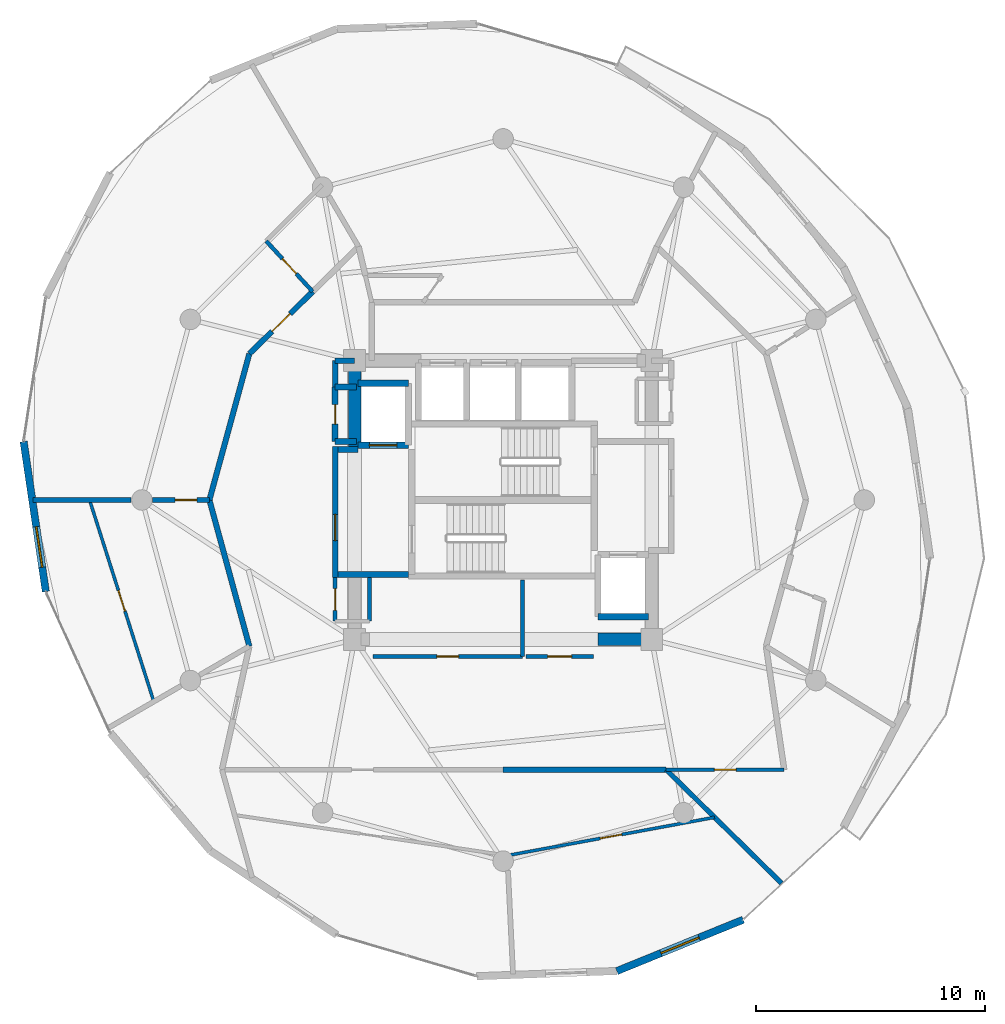
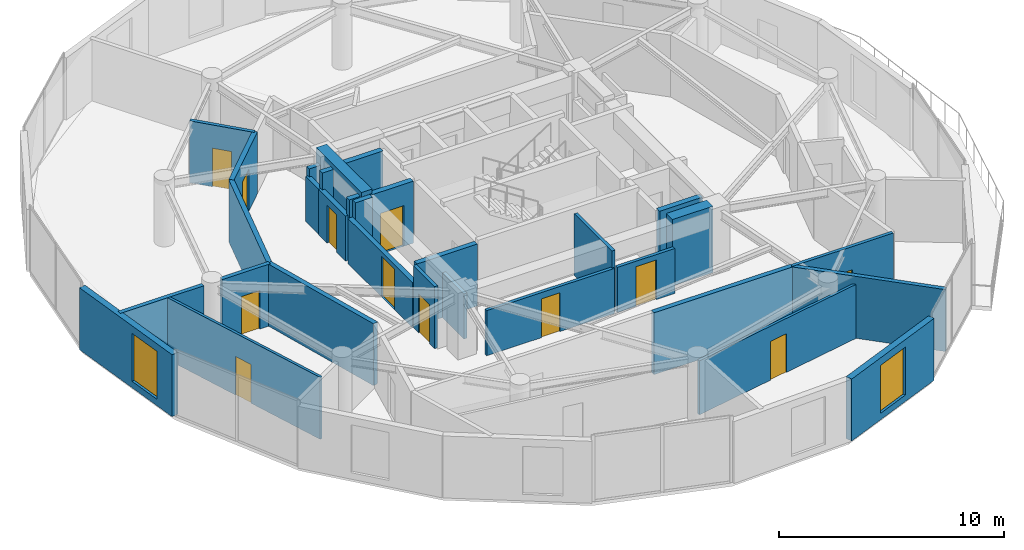
# One storey, part 19 of 24: 31 walls, 12 doors, 2 windows, 14 openings.
"""IFC4 building model written with IfcOpenShell, lengths in metres."""

from ifc_helpers import new_model, si_unit, direction, frame, frame_2d, origin, place, context, subcontext, project, spatial, rectangle, extrude, material, layer, layer_set, type_object, element, fill, save


model = new_model("IFC4")

# Units and contexts
model_context = context("Model", 3, precision=1e-05, world=origin(), true_north=direction((0.0, 1.0)))
body_context = subcontext(model_context, "Body", "Model", "MODEL_VIEW")
ifc_project = project(units=[si_unit("LENGTHUNIT", "METRE"), si_unit("AREAUNIT", "SQUARE_METRE"), si_unit("VOLUMEUNIT", "CUBIC_METRE"), si_unit("PLANEANGLEUNIT", "RADIAN"), si_unit("MASSUNIT", "GRAM", prefix="KILO")], contexts=[model_context])

# Site, building, storey
site_placement = place(None, origin())
site = spatial("IfcSite", under=ifc_project, at=site_placement, CompositionType="ELEMENT")
building_placement = place(site_placement, origin())
building = spatial("IfcBuilding", under=site, at=building_placement, Name="Solvirekh Grand Hotel", CompositionType="ELEMENT")
storey_placement = place(building_placement, frame((0.0, 0.0, 184.0)))
storey = spatial("IfcBuildingStorey", under=building, at=storey_placement, Name="L47", CompositionType="ELEMENT", Elevation=184.0)

# Wall, opening, door
ifc_material_1 = material(Name="Concrete C40/50", Category="concrete")
ifc_layer_1 = layer(ifc_material_1, 0.280029296875)
ifc_layer_set_1 = layer_set([ifc_layer_1], Name="Concrete C40/50")
wall_type_1 = type_object("IfcWallType", Name="CoreShaftWall_RC280", PredefinedType="SOLIDWALL", material=ifc_layer_set_1)
wall_1_placement = place(storey_placement, frame((-6.35009765625, 2.39990234375, 0.0), z_axis=(0.0, 0.0, 1.0), x_axis=(1.0, 0.0, 0.0)))
wall_1 = element("IfcWall", 1, at=wall_1_placement, inside=storey, type_object=wall_type_1, Name="L47 FL-1 hoistway S wall", PredefinedType="SOLIDWALL", context=body_context, shape_type="SweptSolid", body=[
    extrude(rectangle(XDim=2.2001953125, YDim=0.280029296875, at=frame_2d((1.10009765625, 0.0))), origin(), (0.0, 0.0, 1.0), 3.360107421875),
])
opening_1_placement = place(wall_1_placement, frame((0.5, 0.0, 0.0)))
opening_1 = element("IfcOpeningElement", 2, at=opening_1_placement, cuts=wall_1, Name="Opening LD02", PredefinedType="OPENING", context=body_context, shape_type="SweptSolid", body=[
    extrude(rectangle(XDim=1.199951171875, YDim=2.199951171875, at=frame_2d((0.60009765625, 1.10009765625))), frame((0.0, 0.14990234375, 0.0), z_axis=(0.0, -1.0, 0.0), x_axis=(1.0, 0.0, 0.0)), (0.0, 0.0, 1.0), 0.300048828125),
])
ifc_material_2 = material(Name="Fire-Rated Steel Door Assembly", Category="steel")
door_type_1 = type_object("IfcDoorType", Name="Door_LiftFF_1200X2200", OperationType="SLIDING_TO_LEFT", PredefinedType="DOOR", material=ifc_material_2)
door_1_placement = place(opening_1_placement, origin())
door_1 = element("IfcDoor", 3, at=door_1_placement, inside=storey, type_object=door_type_1, Name="L47 FL-1 sliding lift landing door", OperationType="SLIDING_TO_LEFT", OverallHeight=2.199951171875, OverallWidth=1.199951171875, PredefinedType="DOOR", context=body_context, shape_type="SweptSolid", body=[
    extrude(rectangle(XDim=1.199951171875, YDim=2.199951171875, at=frame_2d((0.60009765625, 1.10009765625))), frame((0.0, 0.02490234375, 0.0), z_axis=(0.0, -1.0, 0.0), x_axis=(1.0, 0.0, 0.0)), (0.0, 0.0, 1.0), 0.050048828125),
])
fill(opening_1, door_1)

# Walls
for number, where, z_axis, x_axis, name in (
    (4, (-4.14990234375, 5.10009765625, 0.0), (0.0, 0.0, 1.0), (-1.0, 0.0, 0.0), "L47 FL-1 hoistway N wall"),
    (5, (4.14990234375, -5.10009765625, 0.0), (0.0, 0.0, 1.0), (1.0, 0.0, 0.0), "L47 FL-2 hoistway S wall"),
):
    element("IfcWall", number, at=place(storey_placement, frame(where, z_axis=z_axis, x_axis=x_axis)), inside=storey, type_object=wall_type_1, Name=name, PredefinedType="SOLIDWALL", context=body_context, shape_type="SweptSolid", body=[
        extrude(rectangle(XDim=2.2001953125, YDim=0.280029296875, at=frame_2d((1.10009765625, 0.0))), origin(), (0.0, 0.0, 1.0), 3.360107421875),
    ])
ifc_material_3 = material(Name="Concrete C50/60", Category="concrete")
ifc_layer_2 = layer(ifc_material_3, 0.550048828125)
ifc_layer_set_2 = layer_set([ifc_layer_2], Name="Concrete C50/60")
wall_type_2 = type_object("IfcWallType", Name="CoreWall_RC550", PredefinedType="SHEAR", material=ifc_layer_set_2)
wall_2_placement = place(storey_placement, frame((4.14990234375, -6.10009765625, 0.0), z_axis=(0.0, 0.0, 1.0), x_axis=(1.0, 0.0, 0.0)))
element("IfcWall", 6, at=wall_2_placement, inside=storey, type_object=wall_type_2, Name="L47 core corner shear wall SE-S", PredefinedType="SHEAR", context=body_context, shape_type="SweptSolid", body=[
    extrude(rectangle(XDim=2.0751953125, YDim=0.550048828125, at=frame_2d((1.03759765625, 0.0))), origin(), (0.0, 0.0, 1.0), 3.60009765625),
])
wall_3_placement = place(storey_placement, frame((-6.5, 2.35009765625, 0.0), z_axis=(0.0, 0.0, 1.0), x_axis=(0.0, 1.0, 0.0)))
element("IfcWall", 7, at=wall_3_placement, inside=storey, type_object=wall_type_2, Name="L47 core corner shear wall WN-W", PredefinedType="SHEAR", context=body_context, shape_type="SweptSolid", body=[
    extrude(rectangle(XDim=4.02490234375, YDim=0.550048828125, at=frame_2d((2.012451171875, 0.0))), origin(), (0.0, 0.0, 1.0), 3.60009765625),
])

# Wall, opening, window
ifc_material_4 = material(Name="Precast concrete C45/55", Category="concrete")
ifc_layer_3 = layer(ifc_material_4, 0.320068359375)
ifc_layer_set_3 = layer_set([ifc_layer_3], Name="Precast concrete C45/55")
wall_type_3 = type_object("IfcWallType", Name="ExtLobbyWall_RC320", PredefinedType="SOLIDWALL", material=ifc_layer_set_3)
wall_4_placement = place(storey_placement, frame((-20.008056640625, -4.008056640625, 0.0), z_axis=(0.0, 0.0, 1.0), x_axis=(-0.146280717265, 0.989243120652, 0.0)))
wall_4 = element("IfcWall", 8, at=wall_4_placement, inside=storey, type_object=wall_type_3, Name="L47 exterior structural wall chord 14", PredefinedType="SOLIDWALL", context=body_context, shape_type="SweptSolid", body=[
    extrude(rectangle(XDim=6.637451171875, YDim=0.320068359375, at=frame_2d((3.31884765625, 0.0))), origin(), (0.0, 0.0, 1.0), 3.360107421875),
])
opening_2_placement = place(wall_4_placement, frame((1.072998046875, 0.0, 0.35009765625)))
opening_2 = element("IfcOpeningElement", 9, at=opening_2_placement, cuts=wall_4, Name="Opening W02", PredefinedType="OPENING", context=body_context, shape_type="SweptSolid", body=[
    extrude(rectangle(XDim=1.800048828125, YDim=2.60009765625, at=frame_2d((0.89990234375, 1.300048828125))), frame((0.0, 0.169921875, 0.0), z_axis=(0.0, -1.0, 0.0), x_axis=(1.0, 0.0, 0.0)), (0.0, 0.0, 1.0), 0.340087890625),
])
ifc_material_5 = material(Name="Low-E Tinted Bronze Laminated Glass", Category="aluminium")
window_type = type_object("IfcWindowType", Name="Win_LobbyExt_1800X2600", PartitioningType="SINGLE_PANEL", PredefinedType="WINDOW", material=ifc_material_5)
window_1_placement = place(opening_2_placement, origin())
window_1 = element("IfcWindow", 10, at=window_1_placement, inside=storey, type_object=window_type, Name="L47 panoramic bronze-framed window 14", OverallHeight=2.60009765625, OverallWidth=1.800048828125, PartitioningType="SINGLE_PANEL", PredefinedType="WINDOW", context=body_context, shape_type="SweptSolid", body=[
    extrude(rectangle(XDim=1.800048828125, YDim=2.60009765625, at=frame_2d((0.89990234375, 1.300048828125))), frame((0.0, 0.030029296875, 0.0), z_axis=(0.0, -1.0, 0.0), x_axis=(1.0, 0.0, 0.0)), (0.0, 0.0, 1.0), 0.06005859375),
])
fill(opening_2, window_1)

wall_5_placement = place(storey_placement, frame((10.50390625, -18.364013671875, 0.0), z_axis=(0.0, 0.0, 1.0), x_axis=(-0.926362198949, -0.376633875745, 0.0)))
wall_5 = element("IfcWall", 11, at=wall_5_placement, inside=storey, type_object=wall_type_3, Name="L47 exterior structural wall chord 20", PredefinedType="SOLIDWALL", context=body_context, shape_type="SweptSolid", body=[
    extrude(rectangle(XDim=5.96630859375, YDim=0.320068359375, at=frame_2d((2.983154296875, 0.0))), origin(), (0.0, 0.0, 1.0), 3.360107421875),
])
opening_3_placement = place(wall_5_placement, frame((2.0830078125, 0.0, 0.35009765625)))
opening_3 = element("IfcOpeningElement", 12, at=opening_3_placement, cuts=wall_5, Name="Opening W02", PredefinedType="OPENING", context=body_context, shape_type="SweptSolid", body=[
    extrude(rectangle(XDim=1.800048828125, YDim=2.60009765625, at=frame_2d((0.89990234375, 1.300048828125))), frame((0.0, 0.169921875, 0.0), z_axis=(0.0, -1.0, 0.0), x_axis=(1.0, 0.0, 0.0)), (0.0, 0.0, 1.0), 0.340087890625),
])
window_2_placement = place(opening_3_placement, origin())
window_2 = element("IfcWindow", 13, at=window_2_placement, inside=storey, type_object=window_type, Name="L47 panoramic bronze-framed window 20", OverallHeight=2.60009765625, OverallWidth=1.800048828125, PartitioningType="SINGLE_PANEL", PredefinedType="WINDOW", context=body_context, shape_type="SweptSolid", body=[
    extrude(rectangle(XDim=1.800048828125, YDim=2.60009765625, at=frame_2d((0.89990234375, 1.300048828125))), frame((0.0, 0.030029296875, 0.0), z_axis=(0.0, -1.0, 0.0), x_axis=(1.0, 0.0, 0.0)), (0.0, 0.0, 1.0), 0.06005859375),
])
fill(opening_3, window_2)

# Wall
ifc_material_6 = material(Name="Acoustic Gypsum Partition Assembly")
ifc_layer_4 = layer(ifc_material_6, 0.1650390625)
ifc_layer_set_4 = layer_set([ifc_layer_4], Name="Acoustic Gypsum Partition Assembly")
wall_type_4 = type_object("IfcWallType", Name="Part_BOH_165", PredefinedType="PARTITIONING", material=ifc_layer_set_4)
wall_6_placement = place(storey_placement, frame((-5.85009765625, -5.300048828125, 0.0), z_axis=(0.0, 0.0, 1.0), x_axis=(0.0, 1.0, 0.0)))
element("IfcWall", 14, at=wall_6_placement, inside=storey, type_object=wall_type_4, Name="L47 L47 Butler Service Closet wall 2", PredefinedType="PARTITIONING", context=body_context, shape_type="SweptSolid", body=[
    extrude(rectangle(XDim=1.900146484375, YDim=0.1650390625, at=frame_2d((0.9501953125, 0.0))), origin(), (0.0, 0.0, 1.0), 2.445068359375),
])

# Wall, opening, door
wall_7_placement = place(storey_placement, frame((-7.35009765625, -3.39990234375, 0.0), z_axis=(0.0, 0.0, 1.0), x_axis=(0.0, -1.0, 0.0)))
wall_7 = element("IfcWall", 15, at=wall_7_placement, inside=storey, type_object=wall_type_4, Name="L47 L47 Butler Service Closet wall 4", PredefinedType="PARTITIONING", context=body_context, shape_type="SweptSolid", body=[
    extrude(rectangle(XDim=1.900146484375, YDim=0.1650390625, at=frame_2d((0.9501953125, 0.0))), origin(), (0.0, 0.0, 1.0), 3.360107421875),
])
opening_4_placement = place(wall_7_placement, frame((0.47509765625, 0.0, 0.0)))
opening_4 = element("IfcOpeningElement", 16, at=opening_4_placement, cuts=wall_7, Name="Opening D10", PredefinedType="OPENING", context=body_context, shape_type="SweptSolid", body=[
    extrude(rectangle(XDim=0.949951171875, YDim=2.10009765625, at=frame_2d((0.47509765625, 1.050048828125))), frame((0.0, 0.092529296875, 0.0), z_axis=(0.0, -1.0, 0.0), x_axis=(1.0, 0.0, 0.0)), (0.0, 0.0, 1.0), 0.18505859375),
])
ifc_material_7 = material(Name="Anodized Bronze Aluminium 6063-T6", Category="aluminium")
door_type_2 = type_object("IfcDoorType", Name="Door_RoomInt_950X2100", OperationType="NOTDEFINED", PredefinedType="DOOR", material=ifc_material_7)
door_2_placement = place(opening_4_placement, origin())
door_2 = element("IfcDoor", 17, at=door_2_placement, inside=storey, type_object=door_type_2, Name="L47 L47 Butler Service Closet door", OperationType="SINGLE_SWING_LEFT", OverallHeight=2.10009765625, OverallWidth=0.949951171875, PredefinedType="DOOR", context=body_context, shape_type="SweptSolid", body=[
    extrude(rectangle(XDim=0.949951171875, YDim=2.10009765625, at=frame_2d((0.47509765625, 1.050048828125))), frame((0.0, 0.02490234375, 0.0), z_axis=(0.0, -1.0, 0.0), x_axis=(1.0, 0.0, 0.0)), (0.0, 0.0, 1.0), 0.050048828125),
])
fill(opening_4, door_2)

wall_8_placement = place(storey_placement, frame((-5.699951171875, -6.85009765625, 0.0), z_axis=(0.0, 0.0, 1.0), x_axis=(1.0, 0.0, 0.0)))
wall_8 = element("IfcWall", 18, at=wall_8_placement, inside=storey, type_object=wall_type_4, Name="L47 Housekeeping Linen Room wall 1", PredefinedType="PARTITIONING", context=body_context, shape_type="SweptSolid", body=[
    extrude(rectangle(XDim=6.550048828125, YDim=0.1650390625, at=frame_2d((3.27490234375, 0.0))), origin(), (0.0, 0.0, 1.0), 2.445068359375),
])
opening_5_placement = place(wall_8_placement, frame((2.800048828125, 0.0, 0.0)))
opening_5 = element("IfcOpeningElement", 19, at=opening_5_placement, cuts=wall_8, Name="Opening D10", PredefinedType="OPENING", context=body_context, shape_type="SweptSolid", body=[
    extrude(rectangle(XDim=0.949951171875, YDim=2.10009765625, at=frame_2d((0.47509765625, 1.050048828125))), frame((0.0, 0.092529296875, 0.0), z_axis=(0.0, -1.0, 0.0), x_axis=(1.0, 0.0, 0.0)), (0.0, 0.0, 1.0), 0.18505859375),
])
door_3_placement = place(opening_5_placement, origin())
door_3 = element("IfcDoor", 20, at=door_3_placement, inside=storey, type_object=door_type_2, Name="L47 Housekeeping Linen Room door", OperationType="SINGLE_SWING_LEFT", OverallHeight=2.10009765625, OverallWidth=0.949951171875, PredefinedType="DOOR", context=body_context, shape_type="SweptSolid", body=[
    extrude(rectangle(XDim=0.949951171875, YDim=2.10009765625, at=frame_2d((0.47509765625, 1.050048828125))), frame((0.0, 0.02490234375, 0.0), z_axis=(0.0, -1.0, 0.0), x_axis=(1.0, 0.0, 0.0)), (0.0, 0.0, 1.0), 0.050048828125),
])
fill(opening_5, door_3)

# Wall
wall_9_placement = place(storey_placement, frame((0.85009765625, -6.85009765625, 0.0), z_axis=(0.0, 0.0, 1.0), x_axis=(0.0, 1.0, 0.0)))
element("IfcWall", 21, at=wall_9_placement, inside=storey, type_object=wall_type_4, Name="L47 Housekeeping Linen Room wall 2", PredefinedType="PARTITIONING", context=body_context, shape_type="SweptSolid", body=[
    extrude(rectangle(XDim=3.35009765625, YDim=0.1650390625, at=frame_2d((1.675048828125, 0.0))), origin(), (0.0, 0.0, 1.0), 3.360107421875),
])

# Wall, opening, door
wall_10_placement = place(storey_placement, frame((1.0, -6.85009765625, 0.0), z_axis=(0.0, 0.0, 1.0), x_axis=(1.0, 0.0, 0.0)))
wall_10 = element("IfcWall", 22, at=wall_10_placement, inside=storey, type_object=wall_type_4, Name="L47 Chilled Water Manifold Room wall 1", PredefinedType="PARTITIONING", context=body_context, shape_type="SweptSolid", body=[
    extrude(rectangle(XDim=2.949951171875, YDim=0.1650390625, at=frame_2d((1.47509765625, 0.0))), origin(), (0.0, 0.0, 1.0), 2.445068359375),
])
opening_6_placement = place(wall_10_placement, frame((0.949951171875, 0.0, 0.0)))
opening_6 = element("IfcOpeningElement", 23, at=opening_6_placement, cuts=wall_10, Name="Opening D12", PredefinedType="OPENING", context=body_context, shape_type="SweptSolid", body=[
    extrude(rectangle(XDim=1.050048828125, YDim=2.14990234375, at=frame_2d((0.52490234375, 1.074951171875))), frame((0.0, 0.092529296875, 0.0), z_axis=(0.0, -1.0, 0.0), x_axis=(1.0, 0.0, 0.0)), (0.0, 0.0, 1.0), 0.18505859375),
])
door_type_3 = type_object("IfcDoorType", Name="Door_PlantBOH_1050X2150", OperationType="NOTDEFINED", PredefinedType="DOOR", material=ifc_material_2)
door_4_placement = place(opening_6_placement, origin())
door_4 = element("IfcDoor", 24, at=door_4_placement, inside=storey, type_object=door_type_3, Name="L47 Chilled Water Manifold Room door", OperationType="SINGLE_SWING_RIGHT", OverallHeight=2.14990234375, OverallWidth=1.050048828125, PredefinedType="DOOR", context=body_context, shape_type="SweptSolid", body=[
    extrude(rectangle(XDim=1.050048828125, YDim=2.14990234375, at=frame_2d((0.52490234375, 1.074951171875))), frame((0.0, 0.02490234375, 0.0), z_axis=(0.0, -1.0, 0.0), x_axis=(1.0, 0.0, 0.0)), (0.0, 0.0, 1.0), 0.050048828125),
])
fill(opening_6, door_4)

wall_11_placement = place(storey_placement, frame((7.134033203125, -11.800048828125, 0.0), z_axis=(0.0, 0.0, 1.0), x_axis=(1.0, 0.0, 0.0)))
wall_11 = element("IfcWall", 25, at=wall_11_placement, inside=storey, type_object=wall_type_4, Name="L47 L47 Butler Valet & Linen Steward Room entrance wall", PredefinedType="PARTITIONING", context=body_context, shape_type="SweptSolid", body=[
    extrude(rectangle(XDim=5.166015625, YDim=0.1650390625, at=frame_2d((2.5830078125, 0.0))), origin(), (0.0, 0.0, 1.0), 3.360107421875),
])
opening_7_placement = place(wall_11_placement, frame((2.10791015625, 0.0, 0.0)))
opening_7 = element("IfcOpeningElement", 26, at=opening_7_placement, cuts=wall_11, Name="Opening D10", PredefinedType="OPENING", context=body_context, shape_type="SweptSolid", body=[
    extrude(rectangle(XDim=0.949951171875, YDim=2.10009765625, at=frame_2d((0.47509765625, 1.050048828125))), frame((0.0, 0.092529296875, 0.0), z_axis=(0.0, -1.0, 0.0), x_axis=(1.0, 0.0, 0.0)), (0.0, 0.0, 1.0), 0.18505859375),
])
door_5_placement = place(opening_7_placement, origin())
door_5 = element("IfcDoor", 27, at=door_5_placement, inside=storey, type_object=door_type_2, Name="L47 L47 Butler Valet & Linen Steward Room entrance door", OperationType="SINGLE_SWING_LEFT", OverallHeight=2.10009765625, OverallWidth=0.949951171875, PredefinedType="DOOR", context=body_context, shape_type="SweptSolid", body=[
    extrude(rectangle(XDim=0.949951171875, YDim=2.10009765625, at=frame_2d((0.47509765625, 1.050048828125))), frame((0.0, 0.02490234375, 0.0), z_axis=(0.0, -1.0, 0.0), x_axis=(1.0, 0.0, 0.0)), (0.0, 0.0, 1.0), 0.050048828125),
])
fill(opening_7, door_5)

ifc_layer_5 = layer(ifc_material_6, 0.239990234375)
ifc_layer_set_5 = layer_set([ifc_layer_5], Name="Acoustic Gypsum Partition Assembly")
wall_type_5 = type_object("IfcWallType", Name="Part_Corridor_240", PredefinedType="PARTITIONING", material=ifc_layer_set_5)
wall_12_placement = place(storey_placement, frame((-7.35009765625, -3.3798828125, 0.0), z_axis=(0.0, 0.0, 1.0), x_axis=(0.0, 1.0, 0.0)))
wall_12 = element("IfcWall", 28, at=wall_12_placement, inside=storey, type_object=wall_type_5, Name="L47 west firefighting lobby smoke screen wall", PredefinedType="PARTITIONING", context=body_context, shape_type="SweptSolid", body=[
    extrude(rectangle(XDim=5.719970703125, YDim=0.239990234375, at=frame_2d((2.85986328125, 0.0))), origin(), (0.0, 0.0, 1.0), 2.445068359375),
])
opening_8_placement = place(wall_12_placement, frame((1.59912109375, 0.0, 0.0)))
opening_8 = element("IfcOpeningElement", 29, at=opening_8_placement, cuts=wall_12, Name="Opening D06", PredefinedType="OPENING", context=body_context, shape_type="SweptSolid", body=[
    extrude(rectangle(XDim=1.14990234375, YDim=2.199951171875, at=frame_2d((0.574951171875, 1.10009765625))), frame((0.0, 0.1298828125, 0.0), z_axis=(0.0, -1.0, 0.0), x_axis=(1.0, 0.0, 0.0)), (0.0, 0.0, 1.0), 0.260009765625),
])
door_type_4 = type_object("IfcDoorType", Name="Door_FFLobby_1150X2200", OperationType="NOTDEFINED", PredefinedType="DOOR", material=ifc_material_2)
door_6_placement = place(opening_8_placement, origin())
door_6 = element("IfcDoor", 30, at=door_6_placement, inside=storey, type_object=door_type_4, Name="L47 west firefighting lobby smoke door", OperationType="SINGLE_SWING_RIGHT", OverallHeight=2.199951171875, OverallWidth=1.14990234375, PredefinedType="DOOR", context=body_context, shape_type="SweptSolid", body=[
    extrude(rectangle(XDim=1.14990234375, YDim=2.199951171875, at=frame_2d((0.574951171875, 1.10009765625))), frame((0.0, 0.02490234375, 0.0), z_axis=(0.0, -1.0, 0.0), x_axis=(1.0, 0.0, 0.0)), (0.0, 0.0, 1.0), 0.050048828125),
])
fill(opening_8, door_6)

# Walls
wall_13_placement = place(storey_placement, frame((-7.35009765625, 4.949951171875, 0.0), z_axis=(0.0, 0.0, 1.0), x_axis=(0.0, 1.0, 0.0)))
element("IfcWall", 31, at=wall_13_placement, inside=storey, type_object=wall_type_5, Name="L47 NW core cheek closure wall", PredefinedType="PARTITIONING", context=body_context, shape_type="SweptSolid", body=[
    extrude(rectangle(XDim=1.150146484375, YDim=0.239990234375, at=frame_2d((0.5751953125, 0.0))), origin(), (0.0, 0.0, 1.0), 2.445068359375),
])
wall_14_placement = place(storey_placement, frame((-7.35009765625, 6.10009765625, 0.0), z_axis=(0.0, 0.0, 1.0), x_axis=(1.0, 0.0, 0.0)))
element("IfcWall", 32, at=wall_14_placement, inside=storey, type_object=wall_type_5, Name="L47 NW core corner tie wall", PredefinedType="PARTITIONING", context=body_context, shape_type="SweptSolid", body=[
    extrude(rectangle(XDim=0.85009765625, YDim=0.239990234375, at=frame_2d((0.425048828125, 0.0))), origin(), (0.0, 0.0, 1.0), 2.876953125),
])
wall_15_placement = place(storey_placement, frame((-11.10205078125, 6.39990234375, 0.0), z_axis=(0.0, 0.0, 1.0), x_axis=(-0.263484816116, -0.96466354325, 0.0)))
element("IfcWall", 33, at=wall_15_placement, inside=storey, type_object=wall_type_5, Name="L47 Diplomatic Suite 4902 Living Room corridor wall 1", PredefinedType="PARTITIONING", context=body_context, shape_type="SweptSolid", body=[
    extrude(rectangle(XDim=6.63427734375, YDim=0.239990234375, at=frame_2d((3.317138671875, 0.0))), origin(), (0.0, 0.0, 1.0), 3.360107421875),
])

# Wall, opening, door
wall_16_placement = place(storey_placement, frame((-8.3310546875, 9.116943359375, 0.0), z_axis=(0.0, 0.0, 1.0), x_axis=(-0.714024122855, -0.700121098084, 0.0)))
wall_16 = element("IfcWall", 34, at=wall_16_placement, inside=storey, type_object=wall_type_5, Name="L47 Diplomatic Suite 4902 Living Room entrance wall", PredefinedType="PARTITIONING", context=body_context, shape_type="SweptSolid", body=[
    extrude(rectangle(XDim=3.880859375, YDim=0.239990234375, at=frame_2d((1.9404296875, 0.0))), origin(), (0.0, 0.0, 1.0), 3.360107421875),
])
opening_9_placement = place(wall_16_placement, frame((1.389892578125, 0.0, 0.0)))
opening_9 = element("IfcOpeningElement", 35, at=opening_9_placement, cuts=wall_16, Name="Opening D08", PredefinedType="OPENING", context=body_context, shape_type="SweptSolid", body=[
    extrude(rectangle(XDim=1.10009765625, YDim=2.300048828125, at=frame_2d((0.550048828125, 1.14990234375))), frame((0.0, 0.1298828125, 0.0), z_axis=(0.0, -1.0, 0.0), x_axis=(1.0, 0.0, 0.0)), (0.0, 0.0, 1.0), 0.260009765625),
])
door_type_5 = type_object("IfcDoorType", Name="Door_SuiteEntry_1100X2300", OperationType="NOTDEFINED", PredefinedType="DOOR", material=ifc_material_2)
door_7_placement = place(opening_9_placement, origin())
door_7 = element("IfcDoor", 36, at=door_7_placement, inside=storey, type_object=door_type_5, Name="L47 Diplomatic Suite 4902 Living Room entrance door", OperationType="SINGLE_SWING_RIGHT", OverallHeight=2.300048828125, OverallWidth=1.10009765625, PredefinedType="DOOR", context=body_context, shape_type="SweptSolid", body=[
    extrude(rectangle(XDim=1.10009765625, YDim=2.300048828125, at=frame_2d((0.550048828125, 1.14990234375))), frame((0.0, 0.02490234375, 0.0), z_axis=(0.0, -1.0, 0.0), x_axis=(1.0, 0.0, 0.0)), (0.0, 0.0, 1.0), 0.050048828125),
])
fill(opening_9, door_7)

# Walls
wall_17_placement = place(storey_placement, frame((-12.85009765625, 0.0, 0.0), z_axis=(0.0, 0.0, 1.0), x_axis=(0.263484816116, -0.96466354325, 0.0)))
element("IfcWall", 37, at=wall_17_placement, inside=storey, type_object=wall_type_5, Name="L47 Diplomatic Suite 4902 Suite Foyer corridor enclosure wall", PredefinedType="PARTITIONING", context=body_context, shape_type="SweptSolid", body=[
    extrude(rectangle(XDim=6.63427734375, YDim=0.239990234375, at=frame_2d((3.317138671875, 0.0))), origin(), (0.0, 0.0, 1.0), 3.360107421875),
])
wall_18_placement = place(storey_placement, frame((0.0, -11.800048828125, 0.0), z_axis=(0.0, 0.0, 1.0), x_axis=(1.0, 0.0, 0.0)))
element("IfcWall", 38, at=wall_18_placement, inside=storey, type_object=wall_type_5, Name="L47 L47 Imperial Tea Lounge corridor wall 1", PredefinedType="PARTITIONING", context=body_context, shape_type="SweptSolid", body=[
    extrude(rectangle(XDim=7.134033203125, YDim=0.239990234375, at=frame_2d((3.56689453125, 0.0))), origin(), (0.0, 0.0, 1.0), 3.360107421875),
])
ifc_layer_6 = layer(ifc_material_6, 0.260009765625)
ifc_layer_set_6 = layer_set([ifc_layer_6], Name="Acoustic Gypsum Partition Assembly")
wall_type_6 = type_object("IfcWallType", Name="Part_LobbyFF_260", PredefinedType="PARTITIONING", material=ifc_layer_set_6)
wall_19_placement = place(storey_placement, frame((-7.22509765625, -3.25, 0.0), z_axis=(0.0, 0.0, 1.0), x_axis=(1.0, 0.0, 0.0)))
element("IfcWall", 39, at=wall_19_placement, inside=storey, type_object=wall_type_6, Name="L47 west firefighting lobby south partition", PredefinedType="PARTITIONING", context=body_context, shape_type="SweptSolid", body=[
    extrude(rectangle(XDim=3.09521484375, YDim=0.260009765625, at=frame_2d((1.547607421875, 0.0))), origin(), (0.0, 0.0, 1.0), 3.360107421875),
])
wall_20_placement = place(storey_placement, frame((-7.22509765625, 2.2099609375, 0.0), z_axis=(0.0, 0.0, 1.0), x_axis=(1.0, 0.0, 0.0)))
element("IfcWall", 40, at=wall_20_placement, inside=storey, type_object=wall_type_6, Name="L47 west firefighting lobby NW cheek", PredefinedType="PARTITIONING", context=body_context, shape_type="SweptSolid", body=[
    extrude(rectangle(XDim=0.875, YDim=0.260009765625, at=frame_2d((0.4375, 0.0))), origin(), (0.0, 0.0, 1.0), 3.360107421875),
])
for number, where, z_axis, x_axis, name in (
    (41, (-7.35009765625, 4.949951171875, 0.0), (0.0, 0.0, 1.0), (1.0, 0.0, 0.0), "L47 NW telecom metering cupboard north wall"),
    (42, (-7.35009765625, 2.550048828125, 0.0), (0.0, 0.0, 1.0), (1.0, 0.0, 0.0), "L47 NW telecom metering cupboard south wall"),
):
    element("IfcWall", number, at=place(storey_placement, frame(where, z_axis=z_axis, x_axis=x_axis)), inside=storey, type_object=wall_type_6, Name=name, PredefinedType="PARTITIONING", context=body_context, shape_type="SweptSolid", body=[
        extrude(rectangle(XDim=0.93017578125, YDim=0.260009765625, at=frame_2d((0.465087890625, 0.0))), origin(), (0.0, 0.0, 1.0), 3.360107421875),
    ])

# Wall, opening, door
wall_21_placement = place(storey_placement, frame((-7.35009765625, 2.550048828125, 0.0), z_axis=(0.0, 0.0, 1.0), x_axis=(0.0, 1.0, 0.0)))
wall_21 = element("IfcWall", 43, at=wall_21_placement, inside=storey, type_object=wall_type_6, Name="L47 NW telecom metering cupboard access wall", PredefinedType="PARTITIONING", context=body_context, shape_type="SweptSolid", body=[
    extrude(rectangle(XDim=2.39990234375, YDim=0.260009765625, at=frame_2d((1.199951171875, 0.0))), origin(), (0.0, 0.0, 1.0), 2.445068359375),
])
opening_10_placement = place(wall_21_placement, frame((0.77490234375, 0.0, 0.0)))
opening_10 = element("IfcOpeningElement", 44, at=opening_10_placement, cuts=wall_21, Name="Opening D13", PredefinedType="OPENING", context=body_context, shape_type="SweptSolid", body=[
    extrude(rectangle(XDim=0.85009765625, YDim=2.050048828125, at=frame_2d((0.425048828125, 1.02490234375))), frame((0.0, 0.14013671875, 0.0), z_axis=(0.0, -1.0, 0.0), x_axis=(1.0, 0.0, 0.0)), (0.0, 0.0, 1.0), 0.280029296875),
])
door_type_6 = type_object("IfcDoorType", Name="Door_RiserShaft_850X2050", OperationType="NOTDEFINED", PredefinedType="DOOR", material=ifc_material_2)
door_8_placement = place(opening_10_placement, origin())
door_8 = element("IfcDoor", 45, at=door_8_placement, inside=storey, type_object=door_type_6, Name="L47 telecom metering cupboard access door", OperationType="SINGLE_SWING_RIGHT", OverallHeight=2.050048828125, OverallWidth=0.85009765625, PredefinedType="DOOR", context=body_context, shape_type="SweptSolid", body=[
    extrude(rectangle(XDim=0.85009765625, YDim=2.050048828125, at=frame_2d((0.425048828125, 1.02490234375))), frame((0.0, 0.02490234375, 0.0), z_axis=(0.0, -1.0, 0.0), x_axis=(1.0, 0.0, 0.0)), (0.0, 0.0, 1.0), 0.050048828125),
])
fill(opening_10, door_8)

ifc_layer_7 = layer(ifc_material_6, 0.135009765625)
ifc_layer_set_7 = layer_set([ifc_layer_7], Name="Acoustic Gypsum Partition Assembly")
wall_type_7 = type_object("IfcWallType", Name="Part_RoomInt_135", PredefinedType="PARTITIONING", material=ifc_layer_set_7)
wall_22_placement = place(storey_placement, frame((-18.093017578125, 0.0, 0.0), z_axis=(0.0, 0.0, 1.0), x_axis=(0.303563963888, -0.952811061979, 0.0)))
wall_22 = element("IfcWall", 46, at=wall_22_placement, inside=storey, type_object=wall_type_7, Name="L47 Diplomatic Suite 4902 Suite Foyer bedroom screen wall", PredefinedType="PARTITIONING", context=body_context, shape_type="SweptSolid", body=[
    extrude(rectangle(XDim=9.2568359375, YDim=0.135009765625, at=frame_2d((4.62841796875, 0.0))), origin(), (0.0, 0.0, 1.0), 3.360107421875),
])
opening_11_placement = place(wall_22_placement, frame((4.153076171875, 0.0, 0.0)))
opening_11 = element("IfcOpeningElement", 47, at=opening_11_placement, cuts=wall_22, Name="Opening D10", PredefinedType="OPENING", context=body_context, shape_type="SweptSolid", body=[
    extrude(rectangle(XDim=0.949951171875, YDim=2.10009765625, at=frame_2d((0.47509765625, 1.050048828125))), frame((0.0, 0.07763671875, 0.0), z_axis=(0.0, -1.0, 0.0), x_axis=(1.0, 0.0, 0.0)), (0.0, 0.0, 1.0), 0.155029296875),
])
door_9_placement = place(opening_11_placement, origin())
door_9 = element("IfcDoor", 48, at=door_9_placement, inside=storey, type_object=door_type_2, Name="L47 Diplomatic Suite 4902 Suite Foyer master bedroom door", OperationType="SINGLE_SWING_RIGHT", OverallHeight=2.10009765625, OverallWidth=0.949951171875, PredefinedType="DOOR", context=body_context, shape_type="SweptSolid", body=[
    extrude(rectangle(XDim=0.949951171875, YDim=2.10009765625, at=frame_2d((0.47509765625, 1.050048828125))), frame((0.0, 0.02490234375, 0.0), z_axis=(0.0, -1.0, 0.0), x_axis=(1.0, 0.0, 0.0)), (0.0, 0.0, 1.0), 0.050048828125),
])
fill(opening_11, door_9)

wall_23_placement = place(storey_placement, frame((0.181884765625, -15.554931640625, 0.0), z_axis=(0.0, 0.0, 1.0), x_axis=(0.983473659369, 0.181051267126, 0.0)))
wall_23 = element("IfcWall", 49, at=wall_23_placement, inside=storey, type_object=wall_type_7, Name="L47 L47 Riverfront Tea Belvedere bedroom screen wall", PredefinedType="PARTITIONING", context=body_context, shape_type="SweptSolid", body=[
    extrude(rectangle(XDim=9.223388671875, YDim=0.135009765625, at=frame_2d((4.61181640625, 0.0))), origin(), (0.0, 0.0, 1.0), 2.928955078125),
])
opening_12_placement = place(wall_23_placement, frame((4.136962890625, 0.0, 0.0)))
opening_12 = element("IfcOpeningElement", 50, at=opening_12_placement, cuts=wall_23, Name="Opening D10", PredefinedType="OPENING", context=body_context, shape_type="SweptSolid", body=[
    extrude(rectangle(XDim=0.949951171875, YDim=2.10009765625, at=frame_2d((0.47509765625, 1.050048828125))), frame((0.0, 0.07763671875, 0.0), z_axis=(0.0, -1.0, 0.0), x_axis=(1.0, 0.0, 0.0)), (0.0, 0.0, 1.0), 0.155029296875),
])
door_10_placement = place(opening_12_placement, origin())
door_10 = element("IfcDoor", 51, at=door_10_placement, inside=storey, type_object=door_type_2, Name="L47 L47 Riverfront Tea Belvedere master bedroom door", OperationType="SINGLE_SWING_RIGHT", OverallHeight=2.10009765625, OverallWidth=0.949951171875, PredefinedType="DOOR", context=body_context, shape_type="SweptSolid", body=[
    extrude(rectangle(XDim=0.949951171875, YDim=2.10009765625, at=frame_2d((0.47509765625, 1.050048828125))), frame((0.0, 0.02490234375, 0.0), z_axis=(0.0, -1.0, 0.0), x_axis=(1.0, 0.0, 0.0)), (0.0, 0.0, 1.0), 0.050048828125),
])
fill(opening_12, door_10)

ifc_layer_8 = layer(ifc_material_6, 0.2099609375)
ifc_layer_set_8 = layer_set([ifc_layer_8], Name="Acoustic Gypsum Partition Assembly")
wall_type_8 = type_object("IfcWallType", Name="Part_SuiteDemise_210", PredefinedType="PARTITIONING", material=ifc_layer_set_8)
wall_24_placement = place(storey_placement, frame((-12.85009765625, 0.0, 0.0), z_axis=(0.0, 0.0, 1.0), x_axis=(-1.0, 0.0, 0.0)))
wall_24 = element("IfcWall", 52, at=wall_24_placement, inside=storey, type_object=wall_type_8, Name="L47 suite radial wall 7 (A)", PredefinedType="PARTITIONING", context=body_context, shape_type="SweptSolid", body=[
    extrude(rectangle(XDim=2.47998046875, YDim=0.2099609375, at=frame_2d((1.239990234375, 0.0))), origin(), (0.0, 0.0, 1.0), 3.360107421875),
])
opening_13_placement = place(wall_24_placement, frame((0.550048828125, 0.0, 0.0)))
opening_13 = element("IfcOpeningElement", 53, at=opening_13_placement, cuts=wall_24, Name="Opening D10", PredefinedType="OPENING", context=body_context, shape_type="SweptSolid", body=[
    extrude(rectangle(XDim=0.949951171875, YDim=2.10009765625, at=frame_2d((0.47509765625, 1.050048828125))), frame((0.0, 0.114990234375, 0.0), z_axis=(0.0, -1.0, 0.0), x_axis=(1.0, 0.0, 0.0)), (0.0, 0.0, 1.0), 0.22998046875),
])
door_11_placement = place(opening_13_placement, origin())
door_11 = element("IfcDoor", 54, at=door_11_placement, inside=storey, type_object=door_type_2, Name="L47 Diplomatic Suite 4902 Suite Foyer suite connecting door", OperationType="SINGLE_SWING_LEFT", OverallHeight=2.10009765625, OverallWidth=0.949951171875, PredefinedType="DOOR", context=body_context, shape_type="SweptSolid", body=[
    extrude(rectangle(XDim=0.949951171875, YDim=2.10009765625, at=frame_2d((0.47509765625, 1.050048828125))), frame((0.0, 0.02490234375, 0.0), z_axis=(0.0, -1.0, 0.0), x_axis=(1.0, 0.0, 0.0)), (0.0, 0.0, 1.0), 0.050048828125),
])
fill(opening_13, door_11)

# Walls
wall_25_placement = place(storey_placement, frame((-16.27001953125, 0.0, 0.0), z_axis=(0.0, 0.0, 1.0), x_axis=(-1.0, 0.0, 0.0)))
element("IfcWall", 55, at=wall_25_placement, inside=storey, type_object=wall_type_8, Name="L47 suite radial wall 7 (B)", PredefinedType="PARTITIONING", context=body_context, shape_type="SweptSolid", body=[
    extrude(rectangle(XDim=4.291015625, YDim=0.2099609375, at=frame_2d((2.1455078125, 0.0))), origin(), (0.0, 0.0, 1.0), 3.360107421875),
])
wall_26_placement = place(storey_placement, frame((7.134033203125, -11.800048828125, 0.0), z_axis=(0.0, 0.0, 1.0), x_axis=(0.712808698232, -0.701358510125, 0.0)))
element("IfcWall", 56, at=wall_26_placement, inside=storey, type_object=wall_type_8, Name="L47 L47 Imperial Tea Lounge dividing partition 1", PredefinedType="PARTITIONING", context=body_context, shape_type="SweptSolid", body=[
    extrude(rectangle(XDim=7.078857421875, YDim=0.2099609375, at=frame_2d((3.53955078125, 0.0))), origin(), (0.0, 0.0, 1.0), 3.360107421875),
])

# Wall, opening, door
ifc_layer_9 = layer(ifc_material_6, 0.175048828125)
ifc_layer_set_9 = layer_set([ifc_layer_9], Name="Acoustic Gypsum Partition Assembly")
wall_type_9 = type_object("IfcWallType", Name="Plumb_Ensuite_175", PredefinedType="PLUMBINGWALL", material=ifc_layer_set_9)
wall_27_placement = place(storey_placement, frame((-8.3310546875, 9.116943359375, 0.0), z_axis=(0.0, 0.0, 1.0), x_axis=(-0.676712049705, 0.736247785589, 0.0)))
wall_27 = element("IfcWall", 57, at=wall_27_placement, inside=storey, type_object=wall_type_9, Name="L47 En-suite Bathroom 4902 entry plumbing wall", PredefinedType="PLUMBINGWALL", context=body_context, shape_type="SweptSolid", body=[
    extrude(rectangle(XDim=3.010009765625, YDim=0.175048828125, at=frame_2d((1.5048828125, 0.0))), origin(), (0.0, 0.0, 1.0), 3.360107421875),
])
opening_14_placement = place(wall_27_placement, frame((1.054931640625, 0.0, 0.0)))
opening_14 = element("IfcOpeningElement", 58, at=opening_14_placement, cuts=wall_27, Name="Opening D09", PredefinedType="OPENING", context=body_context, shape_type="SweptSolid", body=[
    extrude(rectangle(XDim=0.89990234375, YDim=2.10009765625, at=frame_2d((0.449951171875, 1.050048828125))), frame((0.0, 0.09765625, 0.0), z_axis=(0.0, -1.0, 0.0), x_axis=(1.0, 0.0, 0.0)), (0.0, 0.0, 1.0), 0.195068359375),
])
door_type_7 = type_object("IfcDoorType", Name="Door_Ensuite_900X2100", OperationType="NOTDEFINED", PredefinedType="DOOR", material=ifc_material_7)
door_12_placement = place(opening_14_placement, origin())
door_12 = element("IfcDoor", 59, at=door_12_placement, inside=storey, type_object=door_type_7, Name="L47 En-suite Bathroom 4902 door", OperationType="SINGLE_SWING_LEFT", OverallHeight=2.10009765625, OverallWidth=0.89990234375, PredefinedType="DOOR", context=body_context, shape_type="SweptSolid", body=[
    extrude(rectangle(XDim=0.89990234375, YDim=2.10009765625, at=frame_2d((0.449951171875, 1.050048828125))), frame((0.0, 0.02490234375, 0.0), z_axis=(0.0, -1.0, 0.0), x_axis=(1.0, 0.0, 0.0)), (0.0, 0.0, 1.0), 0.050048828125),
])
fill(opening_14, door_12)

save(model, "model.ifc")
